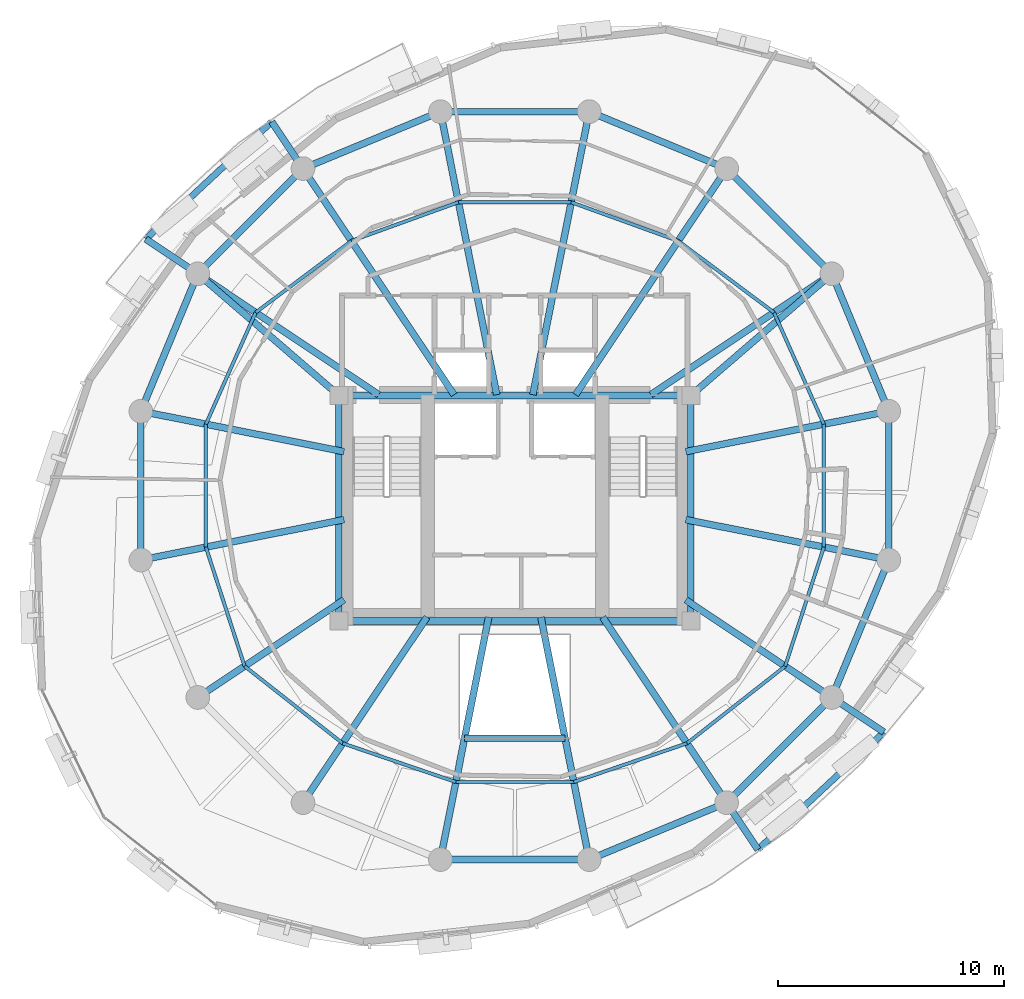
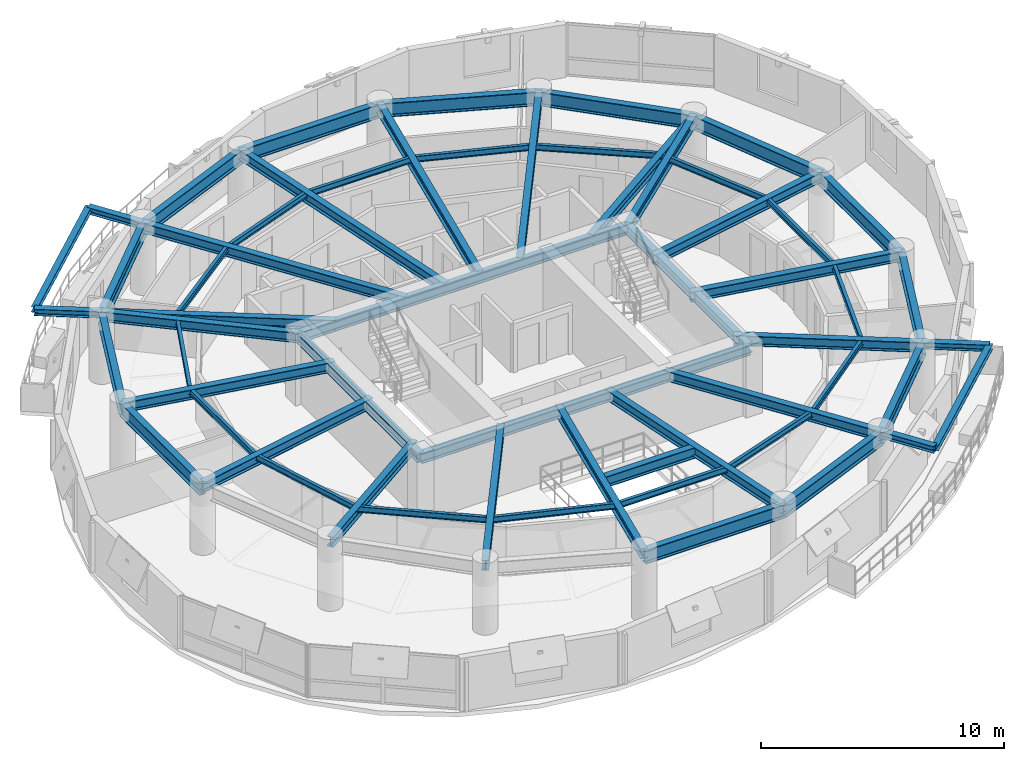
# One storey, part 5 of 12: 58 beams.
"""IFC4 building model written with IfcOpenShell, lengths in metres."""

from ifc_helpers import new_model, si_unit, direction, frame, origin, origin_2d, place, context, subcontext, project, spatial, i_section, extrude, material, material_profile, profile_set, type_object, element, save


model = new_model("IFC4")

# Units and contexts
model_context = context("Model", 3, precision=1e-05, world=origin(), true_north=direction((0.0, 1.0)))
body_context = subcontext(model_context, "Body", "Model", "MODEL_VIEW")
ifc_project = project(units=[si_unit("LENGTHUNIT", "METRE"), si_unit("AREAUNIT", "SQUARE_METRE"), si_unit("VOLUMEUNIT", "CUBIC_METRE"), si_unit("PLANEANGLEUNIT", "RADIAN"), si_unit("MASSUNIT", "GRAM", prefix="KILO"), si_unit("THERMODYNAMICTEMPERATUREUNIT", "KELVIN"), si_unit("POWERUNIT", "WATT")], contexts=[model_context])

# Site, building, storey
site_placement = place(None, origin())
site = spatial("IfcSite", under=ifc_project, at=site_placement, CompositionType="ELEMENT")
building_placement = place(site_placement, origin())
building = spatial("IfcBuilding", under=site, at=building_placement, Name="Ocrelia Relay Tower", CompositionType="ELEMENT")
storey_placement = place(building_placement, frame((0.0, 0.0, 195.199951171875)))
storey = spatial("IfcBuildingStorey", under=building, at=storey_placement, Name="L47", CompositionType="ELEMENT", Elevation=195.199951171875)

# Beams
ifc_material = material(Name="Steel S355", Category="steel")
ifc_material_profile_1 = material_profile(ifc_material, i_section(OverallWidth=0.280029296875, OverallDepth=0.27001953125, WebThickness=0.008056640625, FlangeThickness=0.012939453125, FilletRadius=0.02392578125, at=origin_2d()), Name="HEA 280")
ifc_profile_set_1 = profile_set([ifc_material_profile_1], Name="Steel S355")
beam_type_1 = type_object("IfcBeamType", Name="BM-HEA280", PredefinedType="BEAM", material=ifc_profile_set_1)
for number, where, z_axis, x_axis, name in (
    (1, (23.224609375, 42.126708984375, 3.2451171875), (-0.731865897981, -0.68144868286, 0.0), (0.68144868286, -0.731865897981, 0.0), "L48 Balcony Edge Trimmer Beam B1"),
    (2, (44.775390625, 9.873291015625, 3.2451171875), (0.731896726953, 0.681415571495, 0.0), (-0.681415571495, 0.731896726953, 0.0), "L48 Balcony Edge Trimmer Beam B2"),
):
    element("IfcBeam", number, at=place(storey_placement, frame(where, z_axis=z_axis, x_axis=x_axis)), inside=storey, type_object=beam_type_1, Name=name, PredefinedType="BEAM", context=body_context, shape_type="SweptSolid", body=[
        extrude(i_section(OverallWidth=0.280029296875, OverallDepth=0.27001953125, WebThickness=0.008056640625, FlangeThickness=0.012939453125, FilletRadius=0.02392578125, at=origin_2d()), origin(), (0.0, 0.0, 1.0), 7.626708984375),
    ])
ifc_material_profile_2 = material_profile(ifc_material, i_section(OverallWidth=0.300048828125, OverallDepth=0.330078125, WebThickness=0.009521484375, FlangeThickness=0.0166015625, FilletRadius=0.027099609375, at=origin_2d()), Name="HEA 340")
ifc_profile_set_2 = profile_set([ifc_material_profile_2], Name="Steel S355")
beam_type_2 = type_object("IfcBeamType", Name="BM-HEA340", PredefinedType="BEAM", material=ifc_profile_set_2)
beam_1_placement = place(storey_placement, frame((24.61083984375, 40.0517578125, 3.215087890625), z_axis=(-0.555512722826, 0.831508036509, 0.0), x_axis=(-0.831508036509, -0.555512722826, 0.0)))
element("IfcBeam", 3, at=beam_1_placement, inside=storey, type_object=beam_type_2, Name="L48 Balcony Cantilever Beam B1-1", PredefinedType="BEAM", context=body_context, shape_type="SweptSolid", body=[
    extrude(i_section(OverallWidth=0.300048828125, OverallDepth=0.330078125, WebThickness=0.009521484375, FlangeThickness=0.0166015625, FilletRadius=0.027099609375, at=origin_2d()), origin(), (0.0, 0.0, 1.0), 2.495361328125),
])
beam_2_placement = place(storey_placement, frame((19.9482421875, 35.38916015625, 3.215087890625), z_axis=(-0.831494459338, 0.555533045003, 0.0), x_axis=(-0.555533045003, -0.831494459338, 0.0)))
element("IfcBeam", 4, at=beam_2_placement, inside=storey, type_object=beam_type_2, Name="L48 Balcony Cantilever Beam B1-2", PredefinedType="BEAM", context=body_context, shape_type="SweptSolid", body=[
    extrude(i_section(OverallWidth=0.300048828125, OverallDepth=0.330078125, WebThickness=0.009521484375, FlangeThickness=0.0166015625, FilletRadius=0.027099609375, at=origin_2d()), origin(), (0.0, 0.0, 1.0), 2.772705078125),
])
beam_3_placement = place(storey_placement, frame((43.38916015625, 11.9482421875, 3.215087890625), z_axis=(0.555512722826, -0.831508036509, 0.0), x_axis=(0.831508036509, 0.555512722826, 0.0)))
element("IfcBeam", 5, at=beam_3_placement, inside=storey, type_object=beam_type_2, Name="L48 Balcony Cantilever Beam B2-1", PredefinedType="BEAM", context=body_context, shape_type="SweptSolid", body=[
    extrude(i_section(OverallWidth=0.300048828125, OverallDepth=0.330078125, WebThickness=0.009521484375, FlangeThickness=0.0166015625, FilletRadius=0.027099609375, at=origin_2d()), origin(), (0.0, 0.0, 1.0), 2.495361328125),
])
beam_4_placement = place(storey_placement, frame((48.0517578125, 16.61083984375, 3.215087890625), z_axis=(0.831480961554, -0.55555324729, 0.0), x_axis=(0.55555324729, 0.831480961554, 0.0)))
element("IfcBeam", 6, at=beam_4_placement, inside=storey, type_object=beam_type_2, Name="L48 Balcony Cantilever Beam B2-2", PredefinedType="BEAM", context=body_context, shape_type="SweptSolid", body=[
    extrude(i_section(OverallWidth=0.300048828125, OverallDepth=0.330078125, WebThickness=0.009521484375, FlangeThickness=0.0166015625, FilletRadius=0.027099609375, at=origin_2d()), origin(), (0.0, 0.0, 1.0), 2.77294921875),
])
ifc_material_profile_3 = material_profile(ifc_material, i_section(OverallWidth=0.300048828125, OverallDepth=0.5, WebThickness=0.014404296875, FlangeThickness=0.028076171875, FilletRadius=0.027099609375, at=origin_2d()), Name="HEB 500")
ifc_profile_set_3 = profile_set([ifc_material_profile_3], Name="Steel S355")
beam_type_3 = type_object("IfcBeamType", Name="BM-HEB500", PredefinedType="BEAM", material=ifc_profile_set_3)
for number, where, z_axis, x_axis, name in (
    (7, (26.199951171875, 20.0, 3.130126953125), (1.0, 0.0, 0.0), (0.0, 1.0, 0.0), "L47 Core Pilaster Tie Beam S"),
    (8, (26.199951171875, 30.0, 3.130126953125), (1.0, 0.0, 0.0), (0.0, 1.0, 0.0), "L47 Core Pilaster Tie Beam N"),
):
    element("IfcBeam", number, at=place(storey_placement, frame(where, z_axis=z_axis, x_axis=x_axis)), inside=storey, type_object=beam_type_3, Name=name, PredefinedType="BEAM", context=body_context, shape_type="SweptSolid", body=[
        extrude(i_section(OverallWidth=0.300048828125, OverallDepth=0.5, WebThickness=0.014404296875, FlangeThickness=0.028076171875, FilletRadius=0.027099609375, at=origin_2d()), origin(), (0.0, 0.0, 1.0), 15.60009765625),
    ])
for number, where, z_axis, x_axis, name in (
    (9, (26.199951171875, 20.0, 3.130126953125), (0.0, 1.0, 0.0), (-1.0, 0.0, 0.0), "L47 Core Pilaster Tie Beam W"),
    (10, (41.800048828125, 20.0, 3.130126953125), (0.0, 1.0, 0.0), (-1.0, 0.0, 0.0), "L47 Core Pilaster Tie Beam E"),
):
    element("IfcBeam", number, at=place(storey_placement, frame(where, z_axis=z_axis, x_axis=x_axis)), inside=storey, type_object=beam_type_3, Name=name, PredefinedType="BEAM", context=body_context, shape_type="SweptSolid", body=[
        extrude(i_section(OverallWidth=0.300048828125, OverallDepth=0.5, WebThickness=0.014404296875, FlangeThickness=0.028076171875, FilletRadius=0.027099609375, at=origin_2d()), origin(), (0.0, 0.0, 1.0), 10.0),
    ])
beam_5_placement = place(storey_placement, frame((50.5751953125, 29.297119140625, 3.130126953125), z_axis=(-0.980783891197, -0.1950973059, 0.0), x_axis=(0.1950973059, -0.980783891197, 0.0)))
element("IfcBeam", 11, at=beam_5_placement, inside=storey, type_object=beam_type_3, Name="L47 Radial Floor Girder R01", PredefinedType="BEAM", context=body_context, shape_type="SweptSolid", body=[
    extrude(i_section(OverallWidth=0.300048828125, OverallDepth=0.5, WebThickness=0.014404296875, FlangeThickness=0.028076171875, FilletRadius=0.027099609375, at=origin_2d()), origin(), (0.0, 0.0, 1.0), 9.17138671875),
])
beam_6_placement = place(storey_placement, frame((48.0517578125, 35.38916015625, 3.130126953125), z_axis=(-0.831469666235, -0.555570152305, 0.0), x_axis=(0.555570152305, -0.831469666235, 0.0)))
element("IfcBeam", 12, at=beam_6_placement, inside=storey, type_object=beam_type_3, Name="L47 Radial Floor Girder R02", PredefinedType="BEAM", context=body_context, shape_type="SweptSolid", body=[
    extrude(i_section(OverallWidth=0.300048828125, OverallDepth=0.5, WebThickness=0.014404296875, FlangeThickness=0.028076171875, FilletRadius=0.027099609375, at=origin_2d()), origin(), (0.0, 0.0, 1.0), 9.646240234375),
])
beam_7_placement = place(storey_placement, frame((48.0517578125, 35.38916015625, 3.130126953125), z_axis=(-0.757424589403, -0.652922653434, 0.0), x_axis=(0.652922653434, -0.757424589403, 0.0)))
element("IfcBeam", 13, at=beam_7_placement, inside=storey, type_object=beam_type_3, Name="L47 Core Pilaster Frame Tie Beam PT02", PredefinedType="BEAM", context=body_context, shape_type="SweptSolid", body=[
    extrude(i_section(OverallWidth=0.300048828125, OverallDepth=0.5, WebThickness=0.014404296875, FlangeThickness=0.028076171875, FilletRadius=0.027099609375, at=origin_2d()), origin(), (0.0, 0.0, 1.0), 8.25390625),
])
beam_8_placement = place(storey_placement, frame((43.38916015625, 40.0517578125, 3.130126953125), z_axis=(-0.55556932408, -0.831470219636, 0.0), x_axis=(0.831470219636, -0.55556932408, 0.0)))
element("IfcBeam", 14, at=beam_8_placement, inside=storey, type_object=beam_type_3, Name="L47 Radial Floor Girder R03", PredefinedType="BEAM", context=body_context, shape_type="SweptSolid", body=[
    extrude(i_section(OverallWidth=0.300048828125, OverallDepth=0.5, WebThickness=0.014404296875, FlangeThickness=0.028076171875, FilletRadius=0.027099609375, at=origin_2d()), origin(), (0.0, 0.0, 1.0), 12.052978515625),
])
for number, where, z_axis, x_axis, name in (
    (15, (37.297119140625, 42.5751953125, 3.130126953125), (-0.195106626135, -0.980782037171, 0.0), (0.980782037171, -0.195106626135, 0.0), "L47 Radial Floor Girder R04"),
    (16, (30.702880859375, 42.5751953125, 3.130126953125), (0.195106626135, -0.980782037171, 0.0), (0.980782037171, 0.195106626135, 0.0), "L47 Radial Floor Girder R05"),
):
    element("IfcBeam", number, at=place(storey_placement, frame(where, z_axis=z_axis, x_axis=x_axis)), inside=storey, type_object=beam_type_3, Name=name, PredefinedType="BEAM", context=body_context, shape_type="SweptSolid", body=[
        extrude(i_section(OverallWidth=0.300048828125, OverallDepth=0.5, WebThickness=0.014404296875, FlangeThickness=0.028076171875, FilletRadius=0.027099609375, at=origin_2d()), origin(), (0.0, 0.0, 1.0), 12.791015625),
    ])
beam_9_placement = place(storey_placement, frame((24.61083984375, 40.0517578125, 3.130126953125), z_axis=(0.55556932408, -0.831470219636, 0.0), x_axis=(0.831470219636, 0.55556932408, 0.0)))
element("IfcBeam", 17, at=beam_9_placement, inside=storey, type_object=beam_type_3, Name="L47 Radial Floor Girder R06", PredefinedType="BEAM", context=body_context, shape_type="SweptSolid", body=[
    extrude(i_section(OverallWidth=0.300048828125, OverallDepth=0.5, WebThickness=0.014404296875, FlangeThickness=0.028076171875, FilletRadius=0.027099609375, at=origin_2d()), origin(), (0.0, 0.0, 1.0), 12.052978515625),
])
beam_10_placement = place(storey_placement, frame((19.9482421875, 35.38916015625, 3.130126953125), z_axis=(0.831469666235, -0.555570152305, 0.0), x_axis=(0.555570152305, 0.831469666235, 0.0)))
element("IfcBeam", 18, at=beam_10_placement, inside=storey, type_object=beam_type_3, Name="L47 Radial Floor Girder R07", PredefinedType="BEAM", context=body_context, shape_type="SweptSolid", body=[
    extrude(i_section(OverallWidth=0.300048828125, OverallDepth=0.5, WebThickness=0.014404296875, FlangeThickness=0.028076171875, FilletRadius=0.027099609375, at=origin_2d()), origin(), (0.0, 0.0, 1.0), 9.646240234375),
])
beam_11_placement = place(storey_placement, frame((19.9482421875, 35.38916015625, 3.130126953125), z_axis=(0.757424589403, -0.652922653434, 0.0), x_axis=(0.652922653434, 0.757424589403, 0.0)))
element("IfcBeam", 19, at=beam_11_placement, inside=storey, type_object=beam_type_3, Name="L47 Core Pilaster Frame Tie Beam PT07", PredefinedType="BEAM", context=body_context, shape_type="SweptSolid", body=[
    extrude(i_section(OverallWidth=0.300048828125, OverallDepth=0.5, WebThickness=0.014404296875, FlangeThickness=0.028076171875, FilletRadius=0.027099609375, at=origin_2d()), origin(), (0.0, 0.0, 1.0), 8.25390625),
])
for number, where, z_axis, x_axis, name in (
    (20, (17.4248046875, 29.297119140625, 3.130126953125), (0.980784683446, -0.195093323097, 0.0), (0.195093323097, 0.980784683446, 0.0), "L47 Radial Floor Girder R08"),
    (21, (17.4248046875, 22.702880859375, 3.130126953125), (0.980784683446, 0.195093323097, 0.0), (-0.195093323097, 0.980784683446, 0.0), "L47 Radial Floor Girder R09"),
):
    element("IfcBeam", number, at=place(storey_placement, frame(where, z_axis=z_axis, x_axis=x_axis)), inside=storey, type_object=beam_type_3, Name=name, PredefinedType="BEAM", context=body_context, shape_type="SweptSolid", body=[
        extrude(i_section(OverallWidth=0.300048828125, OverallDepth=0.5, WebThickness=0.014404296875, FlangeThickness=0.028076171875, FilletRadius=0.027099609375, at=origin_2d()), origin(), (0.0, 0.0, 1.0), 9.181640625),
    ])
beam_12_placement = place(storey_placement, frame((19.9482421875, 16.61083984375, 3.130126953125), z_axis=(0.831462012084, 0.555581607382, 0.0), x_axis=(-0.555581607382, 0.831462012084, 0.0)))
element("IfcBeam", 22, at=beam_12_placement, inside=storey, type_object=beam_type_3, Name="L47 Radial Floor Girder R10", PredefinedType="BEAM", context=body_context, shape_type="SweptSolid", body=[
    extrude(i_section(OverallWidth=0.300048828125, OverallDepth=0.5, WebThickness=0.014404296875, FlangeThickness=0.028076171875, FilletRadius=0.027099609375, at=origin_2d()), origin(), (0.0, 0.0, 1.0), 7.795654296875),
])
beam_13_placement = place(storey_placement, frame((24.61083984375, 11.9482421875, 3.130126953125), z_axis=(0.555577337069, 0.831464865485, 0.0), x_axis=(-0.831464865485, 0.555577337069, 0.0)))
element("IfcBeam", 23, at=beam_13_placement, inside=storey, type_object=beam_type_3, Name="L47 Radial Floor Girder R11", PredefinedType="BEAM", context=body_context, shape_type="SweptSolid", body=[
    extrude(i_section(OverallWidth=0.300048828125, OverallDepth=0.5, WebThickness=0.014404296875, FlangeThickness=0.028076171875, FilletRadius=0.027099609375, at=origin_2d()), origin(), (0.0, 0.0, 1.0), 9.88818359375),
])
for number, where, z_axis, x_axis, name in (
    (24, (30.702880859375, 9.4248046875, 3.130126953125), (0.195100373206, 0.980783281044, 0.0), (-0.980783281044, 0.195100373206, 0.0), "L47 Radial Floor Girder R12"),
    (25, (37.297119140625, 9.4248046875, 3.130126953125), (-0.195100373206, 0.980783281044, 0.0), (-0.980783281044, -0.195100373206, 0.0), "L47 Radial Floor Girder R13"),
):
    element("IfcBeam", number, at=place(storey_placement, frame(where, z_axis=z_axis, x_axis=x_axis)), inside=storey, type_object=beam_type_3, Name=name, PredefinedType="BEAM", context=body_context, shape_type="SweptSolid", body=[
        extrude(i_section(OverallWidth=0.300048828125, OverallDepth=0.5, WebThickness=0.014404296875, FlangeThickness=0.028076171875, FilletRadius=0.027099609375, at=origin_2d()), origin(), (0.0, 0.0, 1.0), 10.95556640625),
    ])
beam_14_placement = place(storey_placement, frame((43.38916015625, 11.9482421875, 3.130126953125), z_axis=(-0.555577337069, 0.831464865485, 0.0), x_axis=(-0.831464865485, -0.555577337069, 0.0)))
element("IfcBeam", 26, at=beam_14_placement, inside=storey, type_object=beam_type_3, Name="L47 Radial Floor Girder R14", PredefinedType="BEAM", context=body_context, shape_type="SweptSolid", body=[
    extrude(i_section(OverallWidth=0.300048828125, OverallDepth=0.5, WebThickness=0.014404296875, FlangeThickness=0.028076171875, FilletRadius=0.027099609375, at=origin_2d()), origin(), (0.0, 0.0, 1.0), 9.88818359375),
])
beam_15_placement = place(storey_placement, frame((48.0517578125, 16.61083984375, 3.130126953125), z_axis=(-0.831456272244, 0.555590197309, 0.0), x_axis=(-0.555590197309, -0.831456272244, 0.0)))
element("IfcBeam", 27, at=beam_15_placement, inside=storey, type_object=beam_type_3, Name="L47 Radial Floor Girder R15", PredefinedType="BEAM", context=body_context, shape_type="SweptSolid", body=[
    extrude(i_section(OverallWidth=0.300048828125, OverallDepth=0.5, WebThickness=0.014404296875, FlangeThickness=0.028076171875, FilletRadius=0.027099609375, at=origin_2d()), origin(), (0.0, 0.0, 1.0), 7.783447265625),
])
beam_16_placement = place(storey_placement, frame((50.5751953125, 22.702880859375, 3.130126953125), z_axis=(-0.980783891197, 0.1950973059, 0.0), x_axis=(-0.1950973059, -0.980783891197, 0.0)))
element("IfcBeam", 28, at=beam_16_placement, inside=storey, type_object=beam_type_3, Name="L47 Radial Floor Girder R16", PredefinedType="BEAM", context=body_context, shape_type="SweptSolid", body=[
    extrude(i_section(OverallWidth=0.300048828125, OverallDepth=0.5, WebThickness=0.014404296875, FlangeThickness=0.028076171875, FilletRadius=0.027099609375, at=origin_2d()), origin(), (0.0, 0.0, 1.0), 9.17138671875),
])
ifc_material_profile_4 = material_profile(ifc_material, i_section(OverallWidth=0.300048828125, OverallDepth=0.550048828125, WebThickness=0.014892578125, FlangeThickness=0.029052734375, FilletRadius=0.027099609375, at=origin_2d()), Name="HEB 550")
ifc_profile_set_4 = profile_set([ifc_material_profile_4], Name="Steel S355")
beam_type_4 = type_object("IfcBeamType", Name="BM-HEB550", PredefinedType="BEAM", material=ifc_profile_set_4)
beam_17_placement = place(storey_placement, frame((31.772216796875, 14.800048828125, 3.10498046875), z_axis=(1.0, 0.0, 0.0), x_axis=(0.0, 1.0, 0.0)))
element("IfcBeam", 29, at=beam_17_placement, inside=storey, type_object=beam_type_4, Name="L47 Atrium South Trimmer Beam", PredefinedType="BEAM", context=body_context, shape_type="SweptSolid", body=[
    extrude(i_section(OverallWidth=0.300048828125, OverallDepth=0.550048828125, WebThickness=0.014892578125, FlangeThickness=0.029052734375, FilletRadius=0.027099609375, at=origin_2d()), origin(), (0.0, 0.0, 1.0), 4.45556640625),
])
ifc_material_profile_5 = material_profile(ifc_material, i_section(OverallWidth=0.300048828125, OverallDepth=0.699951171875, WebThickness=0.01708984375, FlangeThickness=0.031982421875, FilletRadius=0.027099609375, at=origin_2d()), Name="HEB 700")
ifc_profile_set_5 = profile_set([ifc_material_profile_5], Name="Steel S355")
beam_type_5 = type_object("IfcBeamType", Name="BM-HEB700", PredefinedType="BEAM", material=ifc_profile_set_5)
for number, where, z_axis, x_axis, name in (
    (30, (50.5751953125, 29.297119140625, 3.030029296875), (-0.382687508402, 0.923877844151, 0.0), (-0.923877844151, -0.382687508402, 0.0), "L47 Perimeter Spandrel Beam S01"),
    (31, (48.0517578125, 35.38916015625, 3.030029296875), (-0.707106781187, 0.707106781187, 0.0), (-0.707106781187, -0.707106781187, 0.0), "L47 Perimeter Spandrel Beam S02"),
    (32, (43.38916015625, 40.0517578125, 3.030029296875), (-0.923877844151, 0.382687508402, 0.0), (-0.382687508402, -0.923877844151, 0.0), "L47 Perimeter Spandrel Beam S03"),
):
    element("IfcBeam", number, at=place(storey_placement, frame(where, z_axis=z_axis, x_axis=x_axis)), inside=storey, type_object=beam_type_5, Name=name, PredefinedType="BEAM", context=body_context, shape_type="SweptSolid", body=[
        extrude(i_section(OverallWidth=0.300048828125, OverallDepth=0.699951171875, WebThickness=0.01708984375, FlangeThickness=0.031982421875, FilletRadius=0.027099609375, at=origin_2d()), origin(), (0.0, 0.0, 1.0), 6.593994140625),
    ])
beam_18_placement = place(storey_placement, frame((37.297119140625, 42.5751953125, 3.030029296875), z_axis=(-1.0, 0.0, 0.0), x_axis=(0.0, -1.0, 0.0)))
element("IfcBeam", 33, at=beam_18_placement, inside=storey, type_object=beam_type_5, Name="L47 Perimeter Spandrel Beam S04", PredefinedType="BEAM", context=body_context, shape_type="SweptSolid", body=[
    extrude(i_section(OverallWidth=0.300048828125, OverallDepth=0.699951171875, WebThickness=0.01708984375, FlangeThickness=0.031982421875, FilletRadius=0.027099609375, at=origin_2d()), origin(), (0.0, 0.0, 1.0), 6.59423828125),
])
for number, where, z_axis, x_axis, name in (
    (34, (30.702880859375, 42.5751953125, 3.030029296875), (-0.923877844151, -0.382687508402, 0.0), (0.382687508402, -0.923877844151, 0.0), "L47 Perimeter Spandrel Beam S05"),
    (35, (24.61083984375, 40.0517578125, 3.030029296875), (-0.707106781187, -0.707106781187, 0.0), (0.707106781187, -0.707106781187, 0.0), "L47 Perimeter Spandrel Beam S06"),
    (36, (19.9482421875, 35.38916015625, 3.030029296875), (-0.382687508402, -0.923877844151, 0.0), (0.923877844151, -0.382687508402, 0.0), "L47 Perimeter Spandrel Beam S07"),
):
    element("IfcBeam", number, at=place(storey_placement, frame(where, z_axis=z_axis, x_axis=x_axis)), inside=storey, type_object=beam_type_5, Name=name, PredefinedType="BEAM", context=body_context, shape_type="SweptSolid", body=[
        extrude(i_section(OverallWidth=0.300048828125, OverallDepth=0.699951171875, WebThickness=0.01708984375, FlangeThickness=0.031982421875, FilletRadius=0.027099609375, at=origin_2d()), origin(), (0.0, 0.0, 1.0), 6.593994140625),
    ])
for number, where, z_axis, x_axis, name in (
    (37, (17.4248046875, 29.297119140625, 3.030029296875), (0.0, -1.0, 0.0), (1.0, 0.0, 0.0), "L47 Perimeter Spandrel Beam S08"),
    (38, (30.702880859375, 9.4248046875, 3.030029296875), (1.0, 0.0, 0.0), (0.0, 1.0, 0.0), "L47 Perimeter Spandrel Beam S12"),
):
    element("IfcBeam", number, at=place(storey_placement, frame(where, z_axis=z_axis, x_axis=x_axis)), inside=storey, type_object=beam_type_5, Name=name, PredefinedType="BEAM", context=body_context, shape_type="SweptSolid", body=[
        extrude(i_section(OverallWidth=0.300048828125, OverallDepth=0.699951171875, WebThickness=0.01708984375, FlangeThickness=0.031982421875, FilletRadius=0.027099609375, at=origin_2d()), origin(), (0.0, 0.0, 1.0), 6.59423828125),
    ])
for number, where, z_axis, x_axis, name in (
    (39, (37.297119140625, 9.4248046875, 3.030029296875), (0.923877844151, 0.382687508402, 0.0), (-0.382687508402, 0.923877844151, 0.0), "L47 Perimeter Spandrel Beam S13"),
    (40, (43.38916015625, 11.9482421875, 3.030029296875), (0.707106781187, 0.707106781187, 0.0), (-0.707106781187, 0.707106781187, 0.0), "L47 Perimeter Spandrel Beam S14"),
    (41, (48.0517578125, 16.61083984375, 3.030029296875), (0.382687508402, 0.923877844151, 0.0), (-0.923877844151, 0.382687508402, 0.0), "L47 Perimeter Spandrel Beam S15"),
):
    element("IfcBeam", number, at=place(storey_placement, frame(where, z_axis=z_axis, x_axis=x_axis)), inside=storey, type_object=beam_type_5, Name=name, PredefinedType="BEAM", context=body_context, shape_type="SweptSolid", body=[
        extrude(i_section(OverallWidth=0.300048828125, OverallDepth=0.699951171875, WebThickness=0.01708984375, FlangeThickness=0.031982421875, FilletRadius=0.027099609375, at=origin_2d()), origin(), (0.0, 0.0, 1.0), 6.593994140625),
    ])
beam_19_placement = place(storey_placement, frame((50.5751953125, 22.702880859375, 3.030029296875), z_axis=(0.0, 1.0, 0.0), x_axis=(-1.0, 0.0, 0.0)))
element("IfcBeam", 42, at=beam_19_placement, inside=storey, type_object=beam_type_5, Name="L47 Perimeter Spandrel Beam S16", PredefinedType="BEAM", context=body_context, shape_type="SweptSolid", body=[
    extrude(i_section(OverallWidth=0.300048828125, OverallDepth=0.699951171875, WebThickness=0.01708984375, FlangeThickness=0.031982421875, FilletRadius=0.027099609375, at=origin_2d()), origin(), (0.0, 0.0, 1.0), 6.59423828125),
])
ifc_material_profile_6 = material_profile(ifc_material, i_section(OverallWidth=0.14990234375, OverallDepth=0.300048828125, WebThickness=0.007080078125, FlangeThickness=0.0107421875, FilletRadius=0.014892578125, at=origin_2d()), Name="IPE 300")
ifc_profile_set_6 = profile_set([ifc_material_profile_6], Name="Steel S355")
beam_type_6 = type_object("IfcBeamType", Name="BM-IPE300", PredefinedType="JOIST", material=ifc_profile_set_6)
beam_20_placement = place(storey_placement, frame((47.69677734375, 28.724365234375, 3.22998046875), z_axis=(-0.407938464853, 0.913009424318, 0.0), x_axis=(-0.913009424318, -0.407938464853, 0.0)))
element("IfcBeam", 43, at=beam_20_placement, inside=storey, type_object=beam_type_6, Name="L47 Secondary Floor Joist J01", PredefinedType="JOIST", context=body_context, shape_type="SweptSolid", body=[
    extrude(i_section(OverallWidth=0.14990234375, OverallDepth=0.300048828125, WebThickness=0.007080078125, FlangeThickness=0.0107421875, FilletRadius=0.014892578125, at=origin_2d()), origin(), (0.0, 0.0, 1.0), 5.421630859375),
])
beam_21_placement = place(storey_placement, frame((45.485107421875, 33.67431640625, 3.22998046875), z_axis=(-0.800785247359, 0.598951573678, 0.0), x_axis=(-0.598951573678, -0.800785247359, 0.0)))
element("IfcBeam", 44, at=beam_21_placement, inside=storey, type_object=beam_type_6, Name="L47 Secondary Floor Joist J02", PredefinedType="JOIST", context=body_context, shape_type="SweptSolid", body=[
    extrude(i_section(OverallWidth=0.14990234375, OverallDepth=0.300048828125, WebThickness=0.007080078125, FlangeThickness=0.0107421875, FilletRadius=0.014892578125, at=origin_2d()), origin(), (0.0, 0.0, 1.0), 5.293212890625),
])
beam_22_placement = place(storey_placement, frame((41.246337890625, 36.8447265625, 3.22998046875), z_axis=(-0.940453871246, 0.339921338046, 0.0), x_axis=(-0.339921338046, -0.940453871246, 0.0)))
element("IfcBeam", 45, at=beam_22_placement, inside=storey, type_object=beam_type_6, Name="L47 Secondary Floor Joist J03", PredefinedType="JOIST", context=body_context, shape_type="SweptSolid", body=[
    extrude(i_section(OverallWidth=0.14990234375, OverallDepth=0.300048828125, WebThickness=0.007080078125, FlangeThickness=0.0107421875, FilletRadius=0.014892578125, at=origin_2d()), origin(), (0.0, 0.0, 1.0), 5.04833984375),
])
beam_23_placement = place(storey_placement, frame((36.49853515625, 38.560791015625, 3.22998046875), z_axis=(-1.0, 0.0, 0.0), x_axis=(0.0, -1.0, 0.0)))
element("IfcBeam", 46, at=beam_23_placement, inside=storey, type_object=beam_type_6, Name="L47 Secondary Floor Joist J04", PredefinedType="JOIST", context=body_context, shape_type="SweptSolid", body=[
    extrude(i_section(OverallWidth=0.14990234375, OverallDepth=0.300048828125, WebThickness=0.007080078125, FlangeThickness=0.0107421875, FilletRadius=0.014892578125, at=origin_2d()), origin(), (0.0, 0.0, 1.0), 4.9970703125),
])
beam_24_placement = place(storey_placement, frame((31.50146484375, 38.560791015625, 3.22998046875), z_axis=(-0.940453871246, -0.339921338046, 0.0), x_axis=(0.339921338046, -0.940453871246, 0.0)))
element("IfcBeam", 47, at=beam_24_placement, inside=storey, type_object=beam_type_6, Name="L47 Secondary Floor Joist J05", PredefinedType="JOIST", context=body_context, shape_type="SweptSolid", body=[
    extrude(i_section(OverallWidth=0.14990234375, OverallDepth=0.300048828125, WebThickness=0.007080078125, FlangeThickness=0.0107421875, FilletRadius=0.014892578125, at=origin_2d()), origin(), (0.0, 0.0, 1.0), 5.04833984375),
])
beam_25_placement = place(storey_placement, frame((26.753662109375, 36.8447265625, 3.22998046875), z_axis=(-0.800785247359, -0.598951573678, 0.0), x_axis=(0.598951573678, -0.800785247359, 0.0)))
element("IfcBeam", 48, at=beam_25_placement, inside=storey, type_object=beam_type_6, Name="L47 Secondary Floor Joist J06", PredefinedType="JOIST", context=body_context, shape_type="SweptSolid", body=[
    extrude(i_section(OverallWidth=0.14990234375, OverallDepth=0.300048828125, WebThickness=0.007080078125, FlangeThickness=0.0107421875, FilletRadius=0.014892578125, at=origin_2d()), origin(), (0.0, 0.0, 1.0), 5.293212890625),
])
beam_26_placement = place(storey_placement, frame((22.514892578125, 33.67431640625, 3.22998046875), z_axis=(-0.407416785709, -0.913242335157, 0.0), x_axis=(0.913242335157, -0.407416785709, 0.0)))
element("IfcBeam", 49, at=beam_26_placement, inside=storey, type_object=beam_type_6, Name="L47 Secondary Floor Joist J07", PredefinedType="JOIST", context=body_context, shape_type="SweptSolid", body=[
    extrude(i_section(OverallWidth=0.14990234375, OverallDepth=0.300048828125, WebThickness=0.007080078125, FlangeThickness=0.0107421875, FilletRadius=0.014892578125, at=origin_2d()), origin(), (0.0, 0.0, 1.0), 5.420654296875),
])
beam_27_placement = place(storey_placement, frame((20.306396484375, 28.723876953125, 3.22998046875), z_axis=(0.0, -1.0, 0.0), x_axis=(1.0, 0.0, 0.0)))
element("IfcBeam", 50, at=beam_27_placement, inside=storey, type_object=beam_type_6, Name="L47 Secondary Floor Joist J08", PredefinedType="JOIST", context=body_context, shape_type="SweptSolid", body=[
    extrude(i_section(OverallWidth=0.14990234375, OverallDepth=0.300048828125, WebThickness=0.007080078125, FlangeThickness=0.0107421875, FilletRadius=0.014892578125, at=origin_2d()), origin(), (0.0, 0.0, 1.0), 5.44775390625),
])
beam_28_placement = place(storey_placement, frame((20.306396484375, 23.276123046875, 3.22998046875), z_axis=(0.309133805786, -0.951018554036, 0.0), x_axis=(0.951018554036, 0.309133805786, 0.0)))
element("IfcBeam", 51, at=beam_28_placement, inside=storey, type_object=beam_type_6, Name="L47 Secondary Floor Joist J09", PredefinedType="JOIST", context=body_context, shape_type="SweptSolid", body=[
    extrude(i_section(OverallWidth=0.14990234375, OverallDepth=0.300048828125, WebThickness=0.007080078125, FlangeThickness=0.0107421875, FilletRadius=0.014892578125, at=origin_2d()), origin(), (0.0, 0.0, 1.0), 5.55126953125),
])
beam_29_placement = place(storey_placement, frame((22.0224609375, 17.996826171875, 3.22998046875), z_axis=(0.786083859045, -0.618119864224, 0.0), x_axis=(0.618119864224, 0.786083859045, 0.0)))
element("IfcBeam", 52, at=beam_29_placement, inside=storey, type_object=beam_type_6, Name="L47 Secondary Floor Joist J10", PredefinedType="JOIST", context=body_context, shape_type="SweptSolid", body=[
    extrude(i_section(OverallWidth=0.14990234375, OverallDepth=0.300048828125, WebThickness=0.007080078125, FlangeThickness=0.0107421875, FilletRadius=0.014892578125, at=origin_2d()), origin(), (0.0, 0.0, 1.0), 5.529296875),
])
beam_30_placement = place(storey_placement, frame((26.368896484375, 14.5791015625, 3.22998046875), z_axis=(0.946215174492, -0.323538009454, 0.0), x_axis=(0.323538009454, 0.946215174492, 0.0)))
element("IfcBeam", 53, at=beam_30_placement, inside=storey, type_object=beam_type_6, Name="L47 Secondary Floor Joist J11", PredefinedType="JOIST", context=body_context, shape_type="SweptSolid", body=[
    extrude(i_section(OverallWidth=0.14990234375, OverallDepth=0.300048828125, WebThickness=0.007080078125, FlangeThickness=0.0107421875, FilletRadius=0.014892578125, at=origin_2d()), origin(), (0.0, 0.0, 1.0), 5.30322265625),
])
beam_31_placement = place(storey_placement, frame((31.386962890625, 12.86328125, 3.22998046875), z_axis=(1.0, 0.0, 0.0), x_axis=(0.0, 1.0, 0.0)))
element("IfcBeam", 54, at=beam_31_placement, inside=storey, type_object=beam_type_6, Name="L47 Secondary Floor Joist J12", PredefinedType="JOIST", context=body_context, shape_type="SweptSolid", body=[
    extrude(i_section(OverallWidth=0.14990234375, OverallDepth=0.300048828125, WebThickness=0.007080078125, FlangeThickness=0.0107421875, FilletRadius=0.014892578125, at=origin_2d()), origin(), (0.0, 0.0, 1.0), 5.22607421875),
])
beam_32_placement = place(storey_placement, frame((36.613037109375, 12.86328125, 3.22998046875), z_axis=(0.946215174492, 0.323538009454, 0.0), x_axis=(-0.323538009454, 0.946215174492, 0.0)))
element("IfcBeam", 55, at=beam_32_placement, inside=storey, type_object=beam_type_6, Name="L47 Secondary Floor Joist J13", PredefinedType="JOIST", context=body_context, shape_type="SweptSolid", body=[
    extrude(i_section(OverallWidth=0.14990234375, OverallDepth=0.300048828125, WebThickness=0.007080078125, FlangeThickness=0.0107421875, FilletRadius=0.014892578125, at=origin_2d()), origin(), (0.0, 0.0, 1.0), 5.30322265625),
])
beam_33_placement = place(storey_placement, frame((41.631103515625, 14.5791015625, 3.22998046875), z_axis=(0.78649600233, 0.617595367793, 0.0), x_axis=(-0.617595367793, 0.78649600233, 0.0)))
element("IfcBeam", 56, at=beam_33_placement, inside=storey, type_object=beam_type_6, Name="L47 Secondary Floor Joist J14", PredefinedType="JOIST", context=body_context, shape_type="SweptSolid", body=[
    extrude(i_section(OverallWidth=0.14990234375, OverallDepth=0.300048828125, WebThickness=0.007080078125, FlangeThickness=0.0107421875, FilletRadius=0.014892578125, at=origin_2d()), origin(), (0.0, 0.0, 1.0), 5.5302734375),
])
beam_34_placement = place(storey_placement, frame((45.980712890625, 17.99462890625, 3.22998046875), z_axis=(0.309043322978, 0.95104796121, 0.0), x_axis=(-0.95104796121, 0.309043322978, 0.0)))
element("IfcBeam", 57, at=beam_34_placement, inside=storey, type_object=beam_type_6, Name="L47 Secondary Floor Joist J15", PredefinedType="JOIST", context=body_context, shape_type="SweptSolid", body=[
    extrude(i_section(OverallWidth=0.14990234375, OverallDepth=0.300048828125, WebThickness=0.007080078125, FlangeThickness=0.0107421875, FilletRadius=0.014892578125, at=origin_2d()), origin(), (0.0, 0.0, 1.0), 5.552734375),
])
beam_35_placement = place(storey_placement, frame((47.69677734375, 23.275634765625, 3.22998046875), z_axis=(0.0, 1.0, 0.0), x_axis=(-1.0, 0.0, 0.0)))
element("IfcBeam", 58, at=beam_35_placement, inside=storey, type_object=beam_type_6, Name="L47 Secondary Floor Joist J16", PredefinedType="JOIST", context=body_context, shape_type="SweptSolid", body=[
    extrude(i_section(OverallWidth=0.14990234375, OverallDepth=0.300048828125, WebThickness=0.007080078125, FlangeThickness=0.0107421875, FilletRadius=0.014892578125, at=origin_2d()), origin(), (0.0, 0.0, 1.0), 5.44873046875),
])

save(model, "model.ifc")
